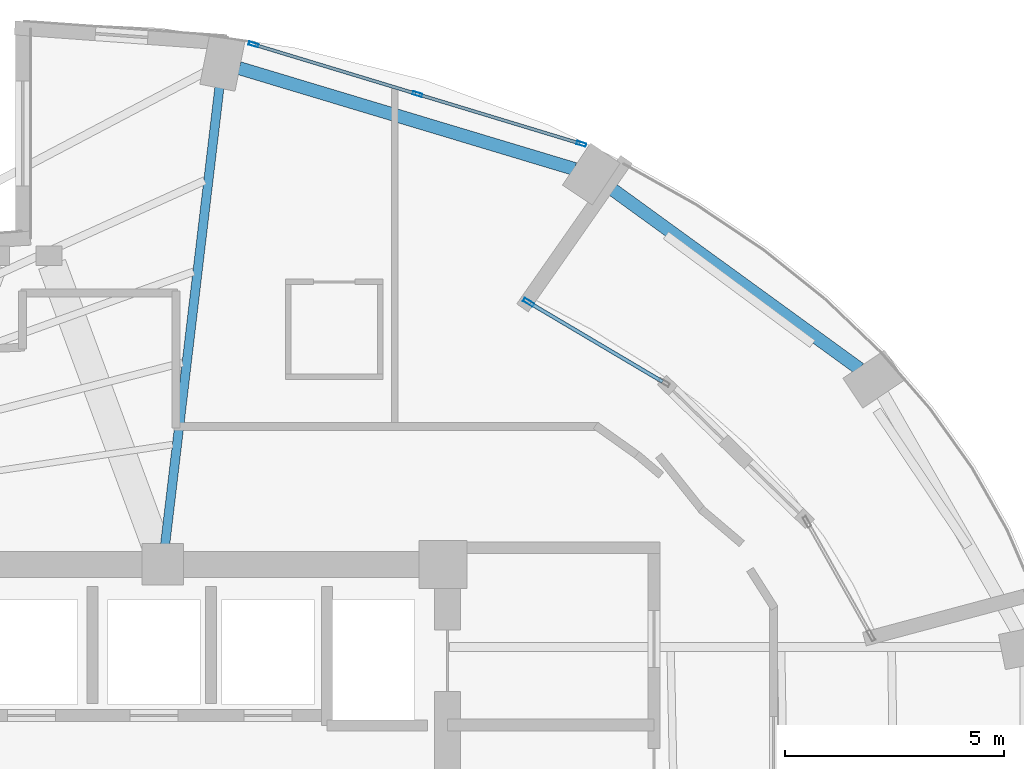
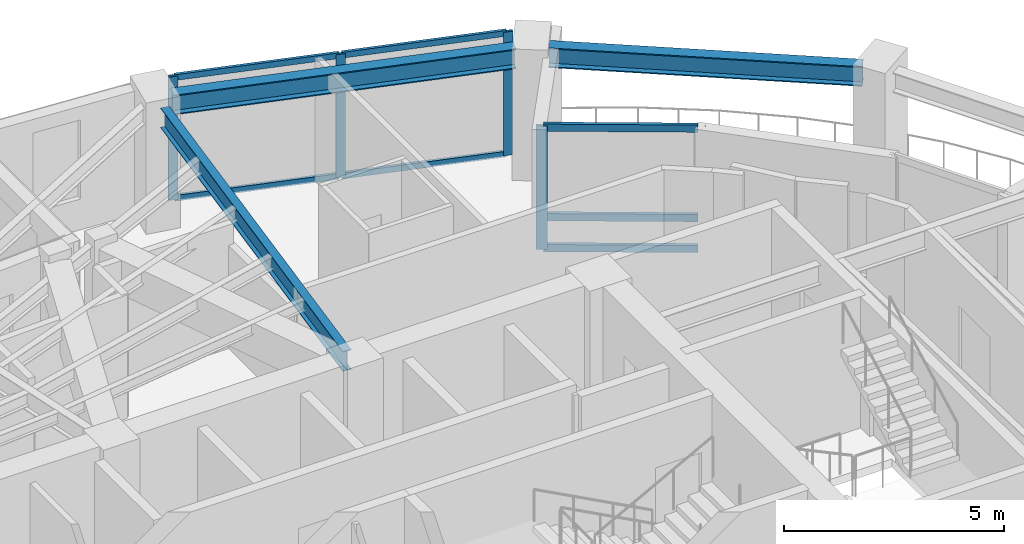
# One storey, part 13 of 19: 11 members, 3 beams, 2 elements without a shape of their own.
"""IFC4 building model written with IfcOpenShell, lengths in metres."""

import ifcopenshell
import ifcopenshell.guid

model = None  # the IFC model being written
_history = None  # IfcOwnerHistory: only IFC2X3 demands one
_inside = {}  # id of a spatial element -> (the spatial element, [elements in it])
_under = {}  # id of a project, library or spatial element -> (it, [spatial elements below it])
_declared = {}  # id of a project -> (the project, [libraries it declares])
_typed = {}  # id of a type object -> (the type object, [elements of that type])
_made_of = {}  # id of a material, layer set ... -> (it, [elements and type objects made of it])


def new_model(schema):
    """Start an empty IFC model of exactly this schema.

    Asked for "IFC4X3", IfcOpenShell would pick the latest addendum, in which some entities
    have other attributes; the version numbers below select the first issue.
    IFC2X3 requires an IfcOwnerHistory on every rooted entity: one is made here for all.
    """
    global model, _history
    if schema == "IFC4X3":
        model = ifcopenshell.file(schema_version=(4, 3, 0, 0))
    else:
        model = ifcopenshell.file(schema=schema)
    _inside.clear()
    _under.clear()
    _declared.clear()
    _typed.clear()
    _made_of.clear()
    _history = None
    if model.schema == "IFC2X3":
        org = make("IfcOrganization", Name="unknown")
        user = make(
            "IfcPersonAndOrganization",
            ThePerson=make("IfcPerson", FamilyName="unknown"),
            TheOrganization=org,
        )
        app = make(
            "IfcApplication",
            ApplicationDeveloper=org,
            Version="unknown",
            ApplicationFullName="unknown",
            ApplicationIdentifier="unknown",
        )
        _history = make(
            "IfcOwnerHistory",
            OwningUser=user,
            OwningApplication=app,
            ChangeAction="ADDED",
            CreationDate=0,
        )
    return model


def make(cls, **values):
    """One entity of the class cls with the attributes given. An attribute that is None is left unset."""
    return model.create_entity(
        cls, **{name: value for name, value in values.items() if value is not None}
    )


def rooted(cls, **values):
    """An entity with a GlobalId (a new one), such as an element, a storey or a relation."""
    return make(cls, GlobalId=ifcopenshell.guid.new(), OwnerHistory=_history, **values)


def si_unit(unit_type, name, prefix=None):
    """IfcSIUnit, for example si_unit("LENGTHUNIT", "METRE", prefix="MILLI")."""
    return make("IfcSIUnit", UnitType=unit_type, Prefix=prefix, Name=name)


def assignment(units):
    """IfcUnitAssignment: the units of a project."""
    return None if units is None else make("IfcUnitAssignment", Units=units)


def point(xyz):
    """IfcCartesianPoint."""
    return None if xyz is None else make("IfcCartesianPoint", Coordinates=xyz)


def direction(xyz):
    """IfcDirection."""
    return None if xyz is None else make("IfcDirection", DirectionRatios=xyz)


def frame(location, z_axis=None, x_axis=None):
    """IfcAxis2Placement3D, a coordinate frame: its origin and axes. An axis left out is left unset."""
    return make(
        "IfcAxis2Placement3D",
        Location=point(location),
        Axis=direction(z_axis),
        RefDirection=direction(x_axis),
    )


def frame_2d(location, x_axis=None):
    """IfcAxis2Placement2D, a coordinate frame in the plane: its origin and x axis."""
    return make(
        "IfcAxis2Placement2D", Location=point(location), RefDirection=direction(x_axis)
    )


def origin():
    """The frame at (0, 0, 0) with its axes left unset."""
    return frame((0.0, 0.0, 0.0))


def origin_2d():
    """The frame at (0, 0) in the plane with its x axis left unset."""
    return frame_2d((0.0, 0.0))


def place(relative_to, where):
    """IfcLocalPlacement: puts the frame where relative to a parent placement (None: the world)."""
    return make(
        "IfcLocalPlacement", PlacementRelTo=relative_to, RelativePlacement=where
    )


def context(
    kind, dimensions, precision=None, world=None, true_north=None, identifier=None
):
    """IfcGeometricRepresentationContext, for example the 3D "Model" context."""
    return make(
        "IfcGeometricRepresentationContext",
        ContextIdentifier=identifier,
        ContextType=kind,
        CoordinateSpaceDimension=dimensions,
        Precision=precision,
        WorldCoordinateSystem=world,
        TrueNorth=true_north,
    )


def subcontext(parent, identifier, kind, view, scale=None):
    """IfcGeometricRepresentationSubContext, for example "Body" below "Model"."""
    return make(
        "IfcGeometricRepresentationSubContext",
        ContextIdentifier=identifier,
        ContextType=kind,
        ParentContext=parent,
        TargetScale=scale,
        TargetView=view,
    )


def project(units=None, contexts=None):
    """IfcProject with its units and contexts."""
    return rooted(
        "IfcProject",
        Name="project",
        RepresentationContexts=contexts,
        UnitsInContext=assignment(units),
    )


def spatial(cls, under=None, at=None, **own):
    """A site, building, storey or space (cls), placed at a placement, below another one or the project."""
    s = rooted(cls, ObjectPlacement=at, **own)
    if under is not None:
        _under.setdefault(under.id(), (under, []))[1].append(s)
    return s


def profile(cls, at=None, kind="AREA", **sizes):
    """A parametric profile (cls). Its sizes go by their IFC names, for example OverallWidth=200.0."""
    return make(cls, ProfileType=kind, Position=at, **sizes)


def hollow_rectangle(**sizes):
    """IfcRectangleHollowProfileDef."""
    return profile("IfcRectangleHollowProfileDef", **sizes)


def i_section(**sizes):
    """IfcIShapeProfileDef."""
    return profile("IfcIShapeProfileDef", **sizes)


def extrude(swept, where, along, depth):
    """IfcExtrudedAreaSolid: the profile swept, set in the frame where, extruded along a direction by depth."""
    return make(
        "IfcExtrudedAreaSolid",
        SweptArea=swept,
        Position=where,
        ExtrudedDirection=direction(along),
        Depth=depth,
    )


def shape(context_of_items, identifier, shape_type, items):
    """IfcShapeRepresentation: the items that make up one representation, for example the "Body"."""
    return make(
        "IfcShapeRepresentation",
        ContextOfItems=context_of_items,
        RepresentationIdentifier=identifier,
        RepresentationType=shape_type,
        Items=items,
    )


def material(Name=None, Category=None):
    """IfcMaterial."""
    return make("IfcMaterial", Name=Name, Category=Category)


def layer(
    of_material, thickness, ventilated=None, Name=None, Category=None, Priority=None
):
    """IfcMaterialLayer: one layer of a wall or slab, of a material (None: an air gap)."""
    return make(
        "IfcMaterialLayer",
        Material=of_material,
        LayerThickness=thickness,
        IsVentilated=ventilated,
        Name=Name,
        Category=Category,
        Priority=Priority,
    )


def layer_set(layers, Name=None):
    """IfcMaterialLayerSet."""
    return make("IfcMaterialLayerSet", MaterialLayers=layers, LayerSetName=Name)


def material_profile(
    of_material, cross_section, Name=None, Category=None, Priority=None
):
    """IfcMaterialProfile: a cross section and its material."""
    return make(
        "IfcMaterialProfile",
        Name=Name,
        Material=of_material,
        Profile=cross_section,
        Priority=Priority,
        Category=Category,
    )


def profile_set(profiles, Name=None, composite=None):
    """IfcMaterialProfileSet."""
    return make(
        "IfcMaterialProfileSet",
        Name=Name,
        MaterialProfiles=profiles,
        CompositeProfile=composite,
    )


def made_of(thing, what):
    """Note that an element or type object is made of a material, layer set ...; save() writes the relation."""
    if what is not None:
        _made_of.setdefault(what.id(), (what, []))[1].append(thing)
    return thing


def type_object(cls, material=None, **own):
    """A type object (cls), such as IfcWallType, which elements share."""
    return made_of(rooted(cls, **own), material)


def element(
    cls,
    number,
    at=None,
    inside=None,
    cuts=None,
    type_object=None,
    material=None,
    context=None,
    identifier="Body",
    shape_type=None,
    held_by="IfcProductDefinitionShape",
    body=None,
    shapes=None,
    **own,
):
    """One element of the class cls, such as IfcWall. Its Tag is "e" and its number.

    at: its placement. inside: the storey or other place that contains it. cuts: it is an
    opening in that element (IfcRelVoidsElement). A single representation is given by context,
    identifier, shape_type and body (its items); several are given by shapes. held_by: the class
    of the entity that holds the representations. save() writes the other relations.
    """
    e = rooted(cls, Tag="e%d" % number, ObjectPlacement=at, **own)
    if body is not None:
        shapes = [shape(context, identifier, shape_type, body)]
    if shapes is not None:
        e.Representation = make(held_by, Representations=shapes)
    if inside is not None:
        _inside.setdefault(inside.id(), (inside, []))[1].append(e)
    if cuts is not None:
        rooted(
            "IfcRelVoidsElement", RelatingBuildingElement=cuts, RelatedOpeningElement=e
        )
    if type_object is not None:
        _typed.setdefault(type_object.id(), (type_object, []))[1].append(e)
    return made_of(e, material)


def aggregate(whole, parts):
    """IfcRelAggregates: a whole, such as a stair, and the parts it consists of."""
    return rooted("IfcRelAggregates", RelatingObject=whole, RelatedObjects=parts)


def save(model, path):
    """Write the relations noted so far, then the file.

    IfcRelAggregates (storeys below a building ...), IfcRelContainedInSpatialStructure (elements
    in a storey), IfcRelDefinesByType, IfcRelAssociatesMaterial and IfcRelDeclares: one each for
    every whole, place, type object, material and project.
    """
    for whole, parts in _under.values():
        aggregate(whole, parts)
    for where, things in _inside.values():
        rooted(
            "IfcRelContainedInSpatialStructure",
            RelatedElements=things,
            RelatingStructure=where,
        )
    for kind, things in _typed.values():
        rooted("IfcRelDefinesByType", RelatedObjects=things, RelatingType=kind)
    for what, things in _made_of.values():
        rooted("IfcRelAssociatesMaterial", RelatedObjects=things, RelatingMaterial=what)
    for by, libraries in _declared.values():
        rooted("IfcRelDeclares", RelatingContext=by, RelatedDefinitions=libraries)
    model.write(path)


model = new_model("IFC4")

# Units and contexts
model_context = context("Model", 3, precision=1e-05, world=origin(), true_north=direction((0.0, 1.0)))
body_context = subcontext(model_context, "Body", "Model", "MODEL_VIEW")
ifc_project = project(units=[si_unit("LENGTHUNIT", "METRE"), si_unit("AREAUNIT", "SQUARE_METRE"), si_unit("VOLUMEUNIT", "CUBIC_METRE"), si_unit("PLANEANGLEUNIT", "RADIAN"), si_unit("MASSUNIT", "GRAM", prefix="KILO")], contexts=[model_context])

# Site, building, storey
site_placement = place(None, origin())
site = spatial("IfcSite", under=ifc_project, at=site_placement, CompositionType="ELEMENT")
building_placement = place(site_placement, origin())
building = spatial("IfcBuilding", under=site, at=building_placement, Name="Lazwardi Medical Tower", CompositionType="ELEMENT")
storey_placement = place(building_placement, frame((0.0, 0.0, 163.823974609375)))
storey = spatial("IfcBuildingStorey", under=building, at=storey_placement, Name="L42", CompositionType="ELEMENT", Elevation=163.823974609375)

# Beams
ifc_material_1 = material(Name="Steel S355", Category="steel")
ifc_material_profile_1 = material_profile(ifc_material_1, i_section(OverallWidth=0.300048828125, OverallDepth=0.550048828125, WebThickness=0.014892578125, FlangeThickness=0.029052734375, at=origin_2d()), Name="HEB 550")
ifc_profile_set_1 = profile_set([ifc_material_profile_1], Name="Steel S355")
beam_type_1 = type_object("IfcBeamType", Name="BM-RB-Z3", PredefinedType="BEAM", material=ifc_profile_set_1)
beam_1_placement = place(storey_placement, frame((55.11181640625, 40.06591796875, 3.153076171875), z_axis=(-0.809127570774, 0.587633026824, 0.0), x_axis=(-0.587633026824, -0.809127570774, 0.0)))
element("IfcBeam", 1, at=beam_1_placement, inside=storey, type_object=beam_type_1, Name="Ring beam RB-04 B06 L42", PredefinedType="BEAM", context=body_context, shape_type="SweptSolid", body=[
    extrude(i_section(OverallWidth=0.300048828125, OverallDepth=0.550048828125, WebThickness=0.014892578125, FlangeThickness=0.029052734375, at=origin_2d()), origin(), (0.0, 0.0, 1.0), 7.170166015625),
])
beam_2_placement = place(storey_placement, frame((48.603515625, 44.62939453125, 3.153076171875), z_axis=(-0.957616873483, 0.288045002771, 0.0), x_axis=(-0.288045002771, -0.957616873483, 0.0)))
element("IfcBeam", 2, at=beam_2_placement, inside=storey, type_object=beam_type_1, Name="Ring beam RB-04 B07 L42", PredefinedType="BEAM", context=body_context, shape_type="SweptSolid", body=[
    extrude(i_section(OverallWidth=0.300048828125, OverallDepth=0.550048828125, WebThickness=0.014892578125, FlangeThickness=0.029052734375, at=origin_2d()), origin(), (0.0, 0.0, 1.0), 7.99951171875),
])
ifc_material_profile_2 = material_profile(ifc_material_1, i_section(OverallWidth=0.2099609375, OverallDepth=0.550048828125, WebThickness=0.010986328125, FlangeThickness=0.01708984375, at=origin_2d()), Name="IPE 550")
ifc_profile_set_2 = profile_set([ifc_material_profile_2], Name="Steel S355")
beam_type_2 = type_object("IfcBeamType", Name="BM-RG-W2", PredefinedType="BEAM", material=ifc_profile_set_2)
beam_3_placement = place(storey_placement, frame((40.494140625, 46.49267578125, 3.153076171875), z_axis=(-0.117968004211, -0.993017396616, 0.0), x_axis=(0.993017396616, -0.117968004211, 0.0)))
element("IfcBeam", 3, at=beam_3_placement, inside=storey, type_object=beam_type_2, Name="Radial girder RG-03 R08 L42", PredefinedType="BEAM", context=body_context, shape_type="SweptSolid", body=[
    extrude(i_section(OverallWidth=0.2099609375, OverallDepth=0.550048828125, WebThickness=0.010986328125, FlangeThickness=0.01708984375, at=origin_2d()), origin(), (0.0, 0.0, 1.0), 10.50927734375),
])

# Curtain wall, members
ifc_material_2 = material(Name="Anodised bronze aluminium and solar control glazing", Category="aluminium")
ifc_layer_1 = layer(ifc_material_2, 0.195068359375)
ifc_layer_set_1 = layer_set([ifc_layer_1], Name="Anodised bronze aluminium and solar control glazing")
curtain_wall_type_1 = type_object("IfcCurtainWallType", Name="CW-SYS-03", PredefinedType="NOTDEFINED", material=ifc_layer_set_1)
curtain_wall_1_placement = place(storey_placement, origin())
curtain_wall_1 = element("IfcCurtainWall", 4, at=curtain_wall_1_placement, inside=storey, type_object=curtain_wall_type_1, Name="L42 Unitised bronze curtain wall CW-03", PredefinedType="NOTDEFINED")
ifc_material_3 = material(Name="Anodised bronze aluminium", Category="aluminium")
ifc_material_profile_3 = material_profile(ifc_material_3, hollow_rectangle(XDim=0.074951171875, YDim=0.219970703125, WallThickness=0.00390625, at=origin_2d()), Name="ALU-MULLION 220x75x4")
ifc_profile_set_3 = profile_set([ifc_material_profile_3], Name="Anodised bronze aluminium")
member_type_1 = type_object("IfcMemberType", Name="CW-MUL-01", PredefinedType="MULLION", material=ifc_profile_set_3)
member_1_placement = place(storey_placement, frame((48.758056640625, 45.203369140625, 0.0), z_axis=(0.0, 0.0, 1.0), x_axis=(-0.290280785441, -0.956941516292, 0.0)))
member_1 = element("IfcMember", 5, at=member_1_placement, type_object=member_type_1, Name="CW-03 mullion 1", PredefinedType="MULLION", context=body_context, shape_type="SweptSolid", body=[
    extrude(hollow_rectangle(XDim=0.074951171875, YDim=0.219970703125, WallThickness=0.00390625, at=origin_2d()), origin(), (0.0, 0.0, 1.0), 3.427978515625),
])
member_2_placement = place(storey_placement, frame((45.01513671875, 46.338623046875, 0.0), z_axis=(0.0, 0.0, 1.0), x_axis=(-0.290280785441, -0.956941516292, 0.0)))
member_2 = element("IfcMember", 6, at=member_2_placement, type_object=member_type_1, Name="CW-03 mullion 2", PredefinedType="MULLION", context=body_context, shape_type="SweptSolid", body=[
    extrude(hollow_rectangle(XDim=0.074951171875, YDim=0.219970703125, WallThickness=0.00390625, at=origin_2d()), origin(), (0.0, 0.0, 1.0), 3.427978515625),
])
member_3_placement = place(storey_placement, frame((41.27197265625, 47.47412109375, 0.0), z_axis=(0.0, 0.0, 1.0), x_axis=(-0.290280785441, -0.956941516292, 0.0)))
member_3 = element("IfcMember", 7, at=member_3_placement, type_object=member_type_1, Name="CW-03 mullion 3", PredefinedType="MULLION", context=body_context, shape_type="SweptSolid", body=[
    extrude(hollow_rectangle(XDim=0.074951171875, YDim=0.219970703125, WallThickness=0.00390625, at=origin_2d()), origin(), (0.0, 0.0, 1.0), 3.427978515625),
])

# Curtain wall, member
ifc_layer_2 = layer(ifc_material_2, 0.239990234375)
ifc_layer_set_2 = layer_set([ifc_layer_2], Name="Anodised bronze aluminium and solar control glazing")
curtain_wall_type_2 = type_object("IfcCurtainWallType", Name="CW-SYS-05", PredefinedType="NOTDEFINED", material=ifc_layer_set_2)
curtain_wall_2_placement = place(storey_placement, origin())
curtain_wall_2 = element("IfcCurtainWall", 8, at=curtain_wall_2_placement, inside=storey, type_object=curtain_wall_type_2, Name="L42 Unitised bronze curtain wall CW-05", PredefinedType="NOTDEFINED")
ifc_material_profile_4 = material_profile(ifc_material_3, hollow_rectangle(XDim=0.0849609375, YDim=0.260009765625, WallThickness=0.0048828125, at=origin_2d()), Name="ALU-MULLION 260x85x5")
ifc_profile_set_4 = profile_set([ifc_material_profile_4], Name="Anodised bronze aluminium")
member_type_2 = type_object("IfcMemberType", Name="CW-MUL-02", PredefinedType="MULLION", material=ifc_profile_set_4)
member_4_placement = place(storey_placement, frame((47.553955078125, 41.584228515625, 0.0), z_axis=(0.0, 0.0, 1.0), x_axis=(-0.509570850923, -0.860428700061, 0.0)))
member_4 = element("IfcMember", 9, at=member_4_placement, type_object=member_type_2, Name="CW-05 mullion 2", PredefinedType="MULLION", context=body_context, shape_type="SweptSolid", body=[
    extrude(hollow_rectangle(XDim=0.0849609375, YDim=0.260009765625, WallThickness=0.0048828125, at=origin_2d()), origin(), (0.0, 0.0, 1.0), 3.427978515625),
])

# Member
ifc_material_profile_5 = material_profile(ifc_material_3, hollow_rectangle(XDim=0.074951171875, YDim=0.159912109375, WallThickness=0.00390625, at=origin_2d()), Name="ALU-TRANSOM 160x75x4")
ifc_profile_set_5 = profile_set([ifc_material_profile_5], Name="Anodised bronze aluminium")
member_type_3 = type_object("IfcMemberType", Name="CW-TRN-01", PredefinedType="USERDEFINED", material=ifc_profile_set_5)
member_5_placement = place(storey_placement, frame((48.72216796875, 45.214111328125, 0.03759765625), z_axis=(-0.956930154175, 0.290318239233, 0.0), x_axis=(-0.290318239233, -0.956930154175, 0.0)))
member_5 = element("IfcMember", 10, at=member_5_placement, type_object=member_type_3, Name="CW-03 transom 1.1", ObjectType="TRANSOM", PredefinedType="USERDEFINED", context=body_context, shape_type="SweptSolid", body=[
    extrude(hollow_rectangle(XDim=0.074951171875, YDim=0.159912109375, WallThickness=0.00390625, at=origin_2d()), origin(), (0.0, 0.0, 1.0), 3.83642578125),
])

member_6_placement = place(storey_placement, frame((48.72216796875, 45.214111328125, 3.390625), z_axis=(-0.956930154175, 0.290318239233, 0.0), x_axis=(-0.290318239233, -0.956930154175, 0.0)))
member_6 = element("IfcMember", 11, at=member_6_placement, type_object=member_type_3, Name="CW-03 transom 1.2", ObjectType="TRANSOM", PredefinedType="USERDEFINED", context=body_context, shape_type="SweptSolid", body=[
    extrude(hollow_rectangle(XDim=0.074951171875, YDim=0.159912109375, WallThickness=0.00390625, at=origin_2d()), origin(), (0.0, 0.0, 1.0), 3.83642578125),
])

member_7_placement = place(storey_placement, frame((44.979248046875, 46.349609375, 0.03759765625), z_axis=(-0.95695319357, 0.290242287264, 0.0), x_axis=(-0.290242287264, -0.95695319357, 0.0)))
member_7 = element("IfcMember", 12, at=member_7_placement, type_object=member_type_3, Name="CW-03 transom 2.1", ObjectType="TRANSOM", PredefinedType="USERDEFINED", context=body_context, shape_type="SweptSolid", body=[
    extrude(hollow_rectangle(XDim=0.074951171875, YDim=0.159912109375, WallThickness=0.00390625, at=origin_2d()), origin(), (0.0, 0.0, 1.0), 3.83642578125),
])

member_8_placement = place(storey_placement, frame((44.979248046875, 46.349609375, 3.390625), z_axis=(-0.95695319357, 0.290242287264, 0.0), x_axis=(-0.290242287264, -0.95695319357, 0.0)))
member_8 = element("IfcMember", 13, at=member_8_placement, type_object=member_type_3, Name="CW-03 transom 2.2", ObjectType="TRANSOM", PredefinedType="USERDEFINED", context=body_context, shape_type="SweptSolid", body=[
    extrude(hollow_rectangle(XDim=0.074951171875, YDim=0.159912109375, WallThickness=0.00390625, at=origin_2d()), origin(), (0.0, 0.0, 1.0), 3.83642578125),
])

aggregate(curtain_wall_1, [member_1, member_2, member_3, member_5, member_6, member_7, member_8])

ifc_material_profile_6 = material_profile(ifc_material_3, hollow_rectangle(XDim=0.0849609375, YDim=0.199951171875, WallThickness=0.00439453125, at=origin_2d()), Name="ALU-TRANSOM 200x85x4.5")
ifc_profile_set_6 = profile_set([ifc_material_profile_6], Name="Anodised bronze aluminium")
member_type_4 = type_object("IfcMemberType", Name="CW-TRN-02", PredefinedType="USERDEFINED", material=ifc_profile_set_6)
member_9_placement = place(storey_placement, frame((50.612548828125, 39.77294921875, 0.04248046875), z_axis=(-0.860416840555, 0.509590875595, 0.0), x_axis=(-0.509590875595, -0.860416840555, 0.0)))
member_9 = element("IfcMember", 14, at=member_9_placement, type_object=member_type_4, Name="CW-05 transom 1.1", ObjectType="TRANSOM", PredefinedType="USERDEFINED", context=body_context, shape_type="SweptSolid", body=[
    extrude(hollow_rectangle(XDim=0.0849609375, YDim=0.199951171875, WallThickness=0.00439453125, at=origin_2d()), origin(), (0.0, 0.0, 1.0), 3.51220703125),
])

member_10_placement = place(storey_placement, frame((50.612548828125, 39.77294921875, 0.900146484375), z_axis=(-0.860416840555, 0.509590875595, 0.0), x_axis=(-0.509590875595, -0.860416840555, 0.0)))
member_10 = element("IfcMember", 15, at=member_10_placement, type_object=member_type_4, Name="CW-05 transom 1.2", ObjectType="TRANSOM", PredefinedType="USERDEFINED", context=body_context, shape_type="SweptSolid", body=[
    extrude(hollow_rectangle(XDim=0.0849609375, YDim=0.199951171875, WallThickness=0.00439453125, at=origin_2d()), origin(), (0.0, 0.0, 1.0), 3.51220703125),
])

member_11_placement = place(storey_placement, frame((50.612548828125, 39.77294921875, 3.385498046875), z_axis=(-0.860416840555, 0.509590875595, 0.0), x_axis=(-0.509590875595, -0.860416840555, 0.0)))
member_11 = element("IfcMember", 16, at=member_11_placement, type_object=member_type_4, Name="CW-05 transom 1.3", ObjectType="TRANSOM", PredefinedType="USERDEFINED", context=body_context, shape_type="SweptSolid", body=[
    extrude(hollow_rectangle(XDim=0.0849609375, YDim=0.199951171875, WallThickness=0.00439453125, at=origin_2d()), origin(), (0.0, 0.0, 1.0), 3.51220703125),
])

aggregate(curtain_wall_2, [member_4, member_9, member_10, member_11])

save(model, "model.ifc")
